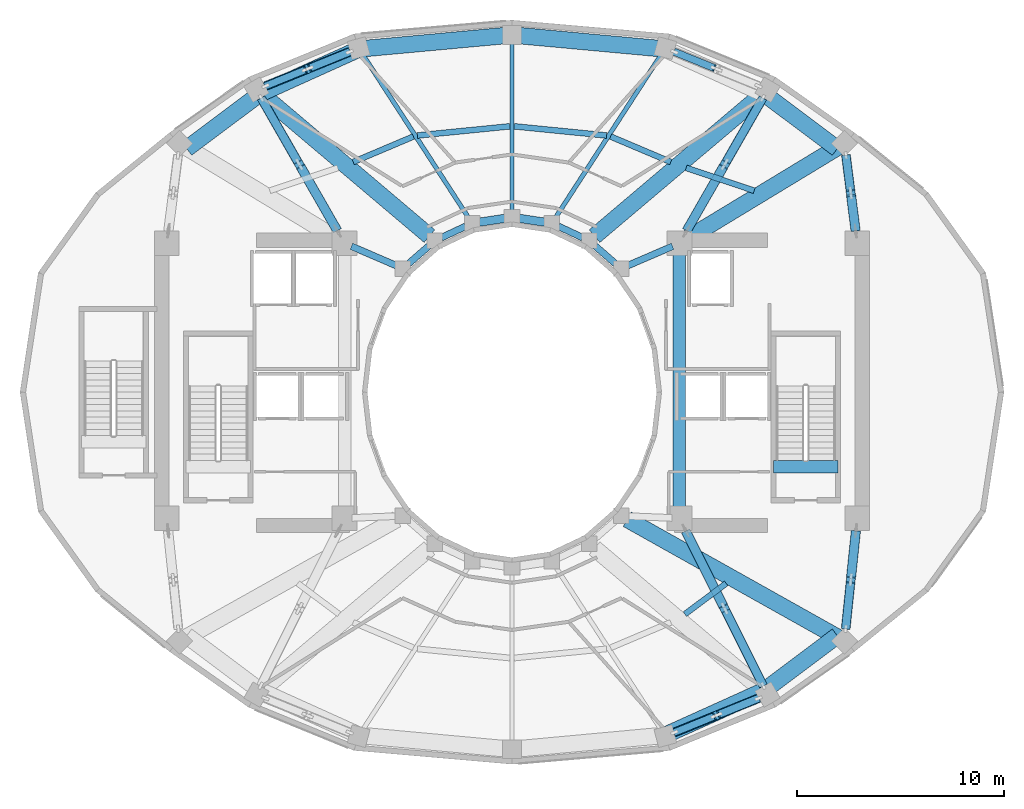
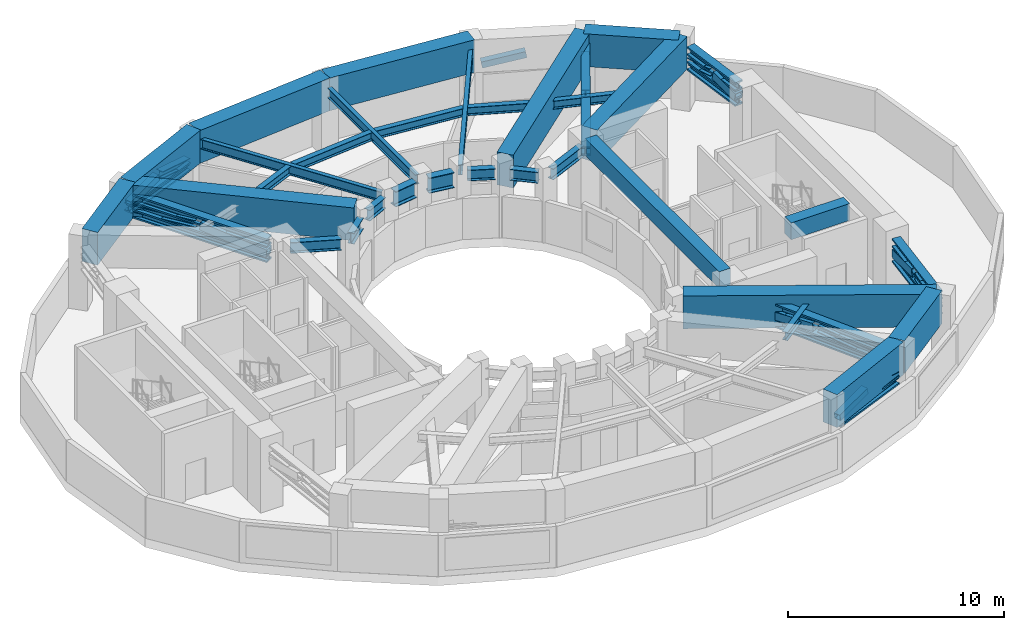
# One storey, part 2 of 10: 42 beams, 15 members.
"""IFC4 building model written with IfcOpenShell, lengths in metres."""

import ifcopenshell
import ifcopenshell.guid

model = None  # the IFC model being written
_history = None  # IfcOwnerHistory: only IFC2X3 demands one
_inside = {}  # id of a spatial element -> (the spatial element, [elements in it])
_under = {}  # id of a project, library or spatial element -> (it, [spatial elements below it])
_declared = {}  # id of a project -> (the project, [libraries it declares])
_typed = {}  # id of a type object -> (the type object, [elements of that type])
_made_of = {}  # id of a material, layer set ... -> (it, [elements and type objects made of it])


def new_model(schema):
    """Start an empty IFC model of exactly this schema.

    Asked for "IFC4X3", IfcOpenShell would pick the latest addendum, in which some entities
    have other attributes; the version numbers below select the first issue.
    IFC2X3 requires an IfcOwnerHistory on every rooted entity: one is made here for all.
    """
    global model, _history
    if schema == "IFC4X3":
        model = ifcopenshell.file(schema_version=(4, 3, 0, 0))
    else:
        model = ifcopenshell.file(schema=schema)
    _inside.clear()
    _under.clear()
    _declared.clear()
    _typed.clear()
    _made_of.clear()
    _history = None
    if model.schema == "IFC2X3":
        org = make("IfcOrganization", Name="unknown")
        user = make(
            "IfcPersonAndOrganization",
            ThePerson=make("IfcPerson", FamilyName="unknown"),
            TheOrganization=org,
        )
        app = make(
            "IfcApplication",
            ApplicationDeveloper=org,
            Version="unknown",
            ApplicationFullName="unknown",
            ApplicationIdentifier="unknown",
        )
        _history = make(
            "IfcOwnerHistory",
            OwningUser=user,
            OwningApplication=app,
            ChangeAction="ADDED",
            CreationDate=0,
        )
    return model


def make(cls, **values):
    """One entity of the class cls with the attributes given. An attribute that is None is left unset."""
    return model.create_entity(
        cls, **{name: value for name, value in values.items() if value is not None}
    )


def rooted(cls, **values):
    """An entity with a GlobalId (a new one), such as an element, a storey or a relation."""
    return make(cls, GlobalId=ifcopenshell.guid.new(), OwnerHistory=_history, **values)


def si_unit(unit_type, name, prefix=None):
    """IfcSIUnit, for example si_unit("LENGTHUNIT", "METRE", prefix="MILLI")."""
    return make("IfcSIUnit", UnitType=unit_type, Prefix=prefix, Name=name)


def assignment(units):
    """IfcUnitAssignment: the units of a project."""
    return None if units is None else make("IfcUnitAssignment", Units=units)


def point(xyz):
    """IfcCartesianPoint."""
    return None if xyz is None else make("IfcCartesianPoint", Coordinates=xyz)


def direction(xyz):
    """IfcDirection."""
    return None if xyz is None else make("IfcDirection", DirectionRatios=xyz)


def frame(location, z_axis=None, x_axis=None):
    """IfcAxis2Placement3D, a coordinate frame: its origin and axes. An axis left out is left unset."""
    return make(
        "IfcAxis2Placement3D",
        Location=point(location),
        Axis=direction(z_axis),
        RefDirection=direction(x_axis),
    )


def frame_2d(location, x_axis=None):
    """IfcAxis2Placement2D, a coordinate frame in the plane: its origin and x axis."""
    return make(
        "IfcAxis2Placement2D", Location=point(location), RefDirection=direction(x_axis)
    )


def origin():
    """The frame at (0, 0, 0) with its axes left unset."""
    return frame((0.0, 0.0, 0.0))


def origin_2d():
    """The frame at (0, 0) in the plane with its x axis left unset."""
    return frame_2d((0.0, 0.0))


def place(relative_to, where):
    """IfcLocalPlacement: puts the frame where relative to a parent placement (None: the world)."""
    return make(
        "IfcLocalPlacement", PlacementRelTo=relative_to, RelativePlacement=where
    )


def context(
    kind, dimensions, precision=None, world=None, true_north=None, identifier=None
):
    """IfcGeometricRepresentationContext, for example the 3D "Model" context."""
    return make(
        "IfcGeometricRepresentationContext",
        ContextIdentifier=identifier,
        ContextType=kind,
        CoordinateSpaceDimension=dimensions,
        Precision=precision,
        WorldCoordinateSystem=world,
        TrueNorth=true_north,
    )


def subcontext(parent, identifier, kind, view, scale=None):
    """IfcGeometricRepresentationSubContext, for example "Body" below "Model"."""
    return make(
        "IfcGeometricRepresentationSubContext",
        ContextIdentifier=identifier,
        ContextType=kind,
        ParentContext=parent,
        TargetScale=scale,
        TargetView=view,
    )


def project(units=None, contexts=None):
    """IfcProject with its units and contexts."""
    return rooted(
        "IfcProject",
        Name="project",
        RepresentationContexts=contexts,
        UnitsInContext=assignment(units),
    )


def spatial(cls, under=None, at=None, **own):
    """A site, building, storey or space (cls), placed at a placement, below another one or the project."""
    s = rooted(cls, ObjectPlacement=at, **own)
    if under is not None:
        _under.setdefault(under.id(), (under, []))[1].append(s)
    return s


def profile(cls, at=None, kind="AREA", **sizes):
    """A parametric profile (cls). Its sizes go by their IFC names, for example OverallWidth=200.0."""
    return make(cls, ProfileType=kind, Position=at, **sizes)


def rectangle(**sizes):
    """IfcRectangleProfileDef."""
    return profile("IfcRectangleProfileDef", **sizes)


def hollow_rectangle(**sizes):
    """IfcRectangleHollowProfileDef."""
    return profile("IfcRectangleHollowProfileDef", **sizes)


def i_section(**sizes):
    """IfcIShapeProfileDef."""
    return profile("IfcIShapeProfileDef", **sizes)


def extrude(swept, where, along, depth):
    """IfcExtrudedAreaSolid: the profile swept, set in the frame where, extruded along a direction by depth."""
    return make(
        "IfcExtrudedAreaSolid",
        SweptArea=swept,
        Position=where,
        ExtrudedDirection=direction(along),
        Depth=depth,
    )


def shape(context_of_items, identifier, shape_type, items):
    """IfcShapeRepresentation: the items that make up one representation, for example the "Body"."""
    return make(
        "IfcShapeRepresentation",
        ContextOfItems=context_of_items,
        RepresentationIdentifier=identifier,
        RepresentationType=shape_type,
        Items=items,
    )


def material(Name=None, Category=None):
    """IfcMaterial."""
    return make("IfcMaterial", Name=Name, Category=Category)


def material_profile(
    of_material, cross_section, Name=None, Category=None, Priority=None
):
    """IfcMaterialProfile: a cross section and its material."""
    return make(
        "IfcMaterialProfile",
        Name=Name,
        Material=of_material,
        Profile=cross_section,
        Priority=Priority,
        Category=Category,
    )


def profile_set(profiles, Name=None, composite=None):
    """IfcMaterialProfileSet."""
    return make(
        "IfcMaterialProfileSet",
        Name=Name,
        MaterialProfiles=profiles,
        CompositeProfile=composite,
    )


def made_of(thing, what):
    """Note that an element or type object is made of a material, layer set ...; save() writes the relation."""
    if what is not None:
        _made_of.setdefault(what.id(), (what, []))[1].append(thing)
    return thing


def type_object(cls, material=None, **own):
    """A type object (cls), such as IfcWallType, which elements share."""
    return made_of(rooted(cls, **own), material)


def element(
    cls,
    number,
    at=None,
    inside=None,
    cuts=None,
    type_object=None,
    material=None,
    context=None,
    identifier="Body",
    shape_type=None,
    held_by="IfcProductDefinitionShape",
    body=None,
    shapes=None,
    **own,
):
    """One element of the class cls, such as IfcWall. Its Tag is "e" and its number.

    at: its placement. inside: the storey or other place that contains it. cuts: it is an
    opening in that element (IfcRelVoidsElement). A single representation is given by context,
    identifier, shape_type and body (its items); several are given by shapes. held_by: the class
    of the entity that holds the representations. save() writes the other relations.
    """
    e = rooted(cls, Tag="e%d" % number, ObjectPlacement=at, **own)
    if body is not None:
        shapes = [shape(context, identifier, shape_type, body)]
    if shapes is not None:
        e.Representation = make(held_by, Representations=shapes)
    if inside is not None:
        _inside.setdefault(inside.id(), (inside, []))[1].append(e)
    if cuts is not None:
        rooted(
            "IfcRelVoidsElement", RelatingBuildingElement=cuts, RelatedOpeningElement=e
        )
    if type_object is not None:
        _typed.setdefault(type_object.id(), (type_object, []))[1].append(e)
    return made_of(e, material)


def aggregate(whole, parts):
    """IfcRelAggregates: a whole, such as a stair, and the parts it consists of."""
    return rooted("IfcRelAggregates", RelatingObject=whole, RelatedObjects=parts)


def save(model, path):
    """Write the relations noted so far, then the file.

    IfcRelAggregates (storeys below a building ...), IfcRelContainedInSpatialStructure (elements
    in a storey), IfcRelDefinesByType, IfcRelAssociatesMaterial and IfcRelDeclares: one each for
    every whole, place, type object, material and project.
    """
    for whole, parts in _under.values():
        aggregate(whole, parts)
    for where, things in _inside.values():
        rooted(
            "IfcRelContainedInSpatialStructure",
            RelatedElements=things,
            RelatingStructure=where,
        )
    for kind, things in _typed.values():
        rooted("IfcRelDefinesByType", RelatedObjects=things, RelatingType=kind)
    for what, things in _made_of.values():
        rooted("IfcRelAssociatesMaterial", RelatedObjects=things, RelatingMaterial=what)
    for by, libraries in _declared.values():
        rooted("IfcRelDeclares", RelatingContext=by, RelatedDefinitions=libraries)
    model.write(path)


model = new_model("IFC4")

# Units and contexts
model_context = context("Model", 3, precision=1e-05, world=origin(), true_north=direction((0.0, 1.0)))
body_context = subcontext(model_context, "Body", "Model", "MODEL_VIEW")
ifc_project = project(units=[si_unit("LENGTHUNIT", "METRE"), si_unit("AREAUNIT", "SQUARE_METRE"), si_unit("VOLUMEUNIT", "CUBIC_METRE"), si_unit("PLANEANGLEUNIT", "RADIAN"), si_unit("MASSUNIT", "GRAM", prefix="KILO")], contexts=[model_context])

# Site, building, storey
site_placement = place(None, origin())
site = spatial("IfcSite", under=ifc_project, at=site_placement, CompositionType="ELEMENT")
building_placement = place(site_placement, origin())
building = spatial("IfcBuilding", under=site, at=building_placement, Name="Solvane Sanctuary Tower", CompositionType="ELEMENT")
storey_placement = place(building_placement, frame((0.0, 0.0, 129.0)))
storey = spatial("IfcBuildingStorey", under=building, at=storey_placement, Name="L39", CompositionType="ELEMENT", Elevation=129.0)

# Beams
ifc_material_1 = material(Name="Steel ASTM A913 Grade 65", Category="steel")
ifc_material_profile_1 = material_profile(ifc_material_1, i_section(OverallWidth=0.403076171875, OverallDepth=0.867919921875, WebThickness=0.02099609375, FlangeThickness=0.03564453125, FilletRadius=0.02197265625, at=origin_2d()), Name="W33X241")
ifc_profile_set_1 = profile_set([ifc_material_profile_1], Name="Steel ASTM A913 Grade 65")
beam_type_1 = type_object("IfcBeamType", Name="Beam B-BELT-CH W33X241", PredefinedType="BEAM", material=ifc_profile_set_1)
for number, where, z_axis, x_axis, name in (
    (1, (30.410400390625, 31.22265625, 3.263916015625), (0.989019905763, 0.147782360259, 0.0), (-0.147782360259, 0.989019905763, 0.0), "L39 Inner Belt Chord IC05-IC04"),
    (2, (32.34130859375, 31.4091796875, 3.263916015625), (0.989019905763, -0.147782360259, 0.0), (0.147782360259, 0.989019905763, 0.0), "L39 Inner Belt Chord IC04-IC03"),
):
    element("IfcBeam", number, at=place(storey_placement, frame(where, z_axis=z_axis, x_axis=x_axis)), inside=storey, type_object=beam_type_1, Name=name, PredefinedType="BEAM", context=body_context, shape_type="SweptSolid", body=[
        extrude(i_section(OverallWidth=0.403076171875, OverallDepth=0.867919921875, WebThickness=0.02099609375, FlangeThickness=0.03564453125, FilletRadius=0.02197265625, at=origin_2d()), origin(), (0.0, 0.0, 1.0), 1.26220703125),
    ])
ifc_material_2 = material(Name="Concrete C70/85", Category="concrete")
ifc_material_profile_2 = material_profile(ifc_material_2, rectangle(XDim=0.60009765625, YDim=0.949951171875, at=origin_2d()), Name="RC600X950")
ifc_profile_set_2 = profile_set([ifc_material_profile_2], Name="Concrete C70/85")
beam_type_2 = type_object("IfcBeamType", Name="Beam B-COUPLE RC600X950", PredefinedType="LINTEL", material=ifc_profile_set_2)
beam_1_placement = place(storey_placement, frame((40.10009765625, 17.35009765625, 3.72509765625), z_axis=(0.0, 1.0, 0.0), x_axis=(-1.0, 0.0, 0.0)))
element("IfcBeam", 3, at=beam_1_placement, inside=storey, type_object=beam_type_2, Name="L39 East Core Coupling Lintel", PredefinedType="LINTEL", context=body_context, shape_type="SweptSolid", body=[
    extrude(rectangle(XDim=0.60009765625, YDim=0.949951171875, at=origin_2d()), origin(), (0.0, 0.0, 1.0), 12.39990234375),
])
beam_2_placement = place(storey_placement, frame((44.64990234375, 19.399169921875, 3.72509765625), z_axis=(1.0, 0.0, 0.0), x_axis=(0.0, 1.0, 0.0)))
element("IfcBeam", 4, at=beam_2_placement, inside=storey, type_object=beam_type_2, Name="L39 ST-2 Stair Floor Landing Trimmer", PredefinedType="LINTEL", context=body_context, shape_type="SweptSolid", body=[
    extrude(rectangle(XDim=0.60009765625, YDim=0.949951171875, at=origin_2d()), origin(), (0.0, 0.0, 1.0), 3.1201171875),
])
ifc_material_profile_3 = material_profile(ifc_material_1, i_section(OverallWidth=0.431884765625, OverallDepth=0.498046875, WebThickness=0.0556640625, FlangeThickness=0.0888671875, FilletRadius=0.02490234375, at=origin_2d()), Name="W14X500")
ifc_profile_set_3 = profile_set([ifc_material_profile_3], Name="Steel ASTM A913 Grade 65")
beam_type_3 = type_object("IfcBeamType", Name="Beam B-OUTR-CH W14X500", PredefinedType="BEAM", material=ifc_profile_set_3)
for number, where, z_axis, x_axis, name in (
    (5, (23.55078125, 30.80859375, 3.448974609375), (-0.497707267468, 0.867345073145, 0.0), (-0.867345073145, -0.497707267468, 0.0), "L39 Outrigger Top Chord OW2"),
    (6, (23.55078125, 30.80859375, 2.610107421875), (-0.497707267468, 0.867345073145, 0.0), (-0.867345073145, -0.497707267468, 0.0), "L39 Outrigger Bottom Chord OW2"),
):
    element("IfcBeam", number, at=place(storey_placement, frame(where, z_axis=z_axis, x_axis=x_axis)), inside=storey, type_object=beam_type_3, Name=name, PredefinedType="BEAM", context=body_context, shape_type="SweptSolid", body=[
        extrude(i_section(OverallWidth=0.431884765625, OverallDepth=0.498046875, WebThickness=0.0556640625, FlangeThickness=0.0888671875, FilletRadius=0.02490234375, at=origin_2d()), origin(), (0.0, 0.0, 1.0), 7.406005859375),
    ])
for number, where, z_axis, x_axis, name in (
    (7, (48.621826171875, 30.809814453125, 3.448974609375), (-0.127067383061, 0.99189408717, 0.0), (-0.99189408717, -0.127067383061, 0.0), "L39 Outrigger Top Chord OE1"),
    (8, (48.621826171875, 30.809814453125, 2.610107421875), (-0.127067383061, 0.99189408717, 0.0), (-0.99189408717, -0.127067383061, 0.0), "L39 Outrigger Bottom Chord OE1"),
):
    element("IfcBeam", number, at=place(storey_placement, frame(where, z_axis=z_axis, x_axis=x_axis)), inside=storey, type_object=beam_type_3, Name=name, PredefinedType="BEAM", context=body_context, shape_type="SweptSolid", body=[
        extrude(i_section(OverallWidth=0.431884765625, OverallDepth=0.498046875, WebThickness=0.0556640625, FlangeThickness=0.0888671875, FilletRadius=0.02490234375, at=origin_2d()), origin(), (0.0, 0.0, 1.0), 3.68505859375),
    ])
for number, where, z_axis, x_axis, name in (
    (9, (40.44921875, 30.80859375, 3.448974609375), (0.497707267468, 0.867345073145, 0.0), (-0.867345073145, 0.497707267468, 0.0), "L39 Outrigger Top Chord OE2"),
    (10, (40.44921875, 30.80859375, 2.610107421875), (0.497707267468, 0.867345073145, 0.0), (-0.867345073145, 0.497707267468, 0.0), "L39 Outrigger Bottom Chord OE2"),
):
    element("IfcBeam", number, at=place(storey_placement, frame(where, z_axis=z_axis, x_axis=x_axis)), inside=storey, type_object=beam_type_3, Name=name, PredefinedType="BEAM", context=body_context, shape_type="SweptSolid", body=[
        extrude(i_section(OverallWidth=0.431884765625, OverallDepth=0.498046875, WebThickness=0.0556640625, FlangeThickness=0.0888671875, FilletRadius=0.02490234375, at=origin_2d()), origin(), (0.0, 0.0, 1.0), 7.406005859375),
    ])
for number, where, z_axis, x_axis, name in (
    (11, (48.63623046875, 16.2900390625, 3.448974609375), (-0.103775962119, -0.994600698615, 0.0), (0.994600698615, -0.103775962119, 0.0), "L39 Outrigger Top Chord OE3"),
    (12, (48.63623046875, 16.2900390625, 2.610107421875), (-0.103775962119, -0.994600698615, 0.0), (0.994600698615, -0.103775962119, 0.0), "L39 Outrigger Bottom Chord OE3"),
):
    element("IfcBeam", number, at=place(storey_placement, frame(where, z_axis=z_axis, x_axis=x_axis)), inside=storey, type_object=beam_type_3, Name=name, PredefinedType="BEAM", context=body_context, shape_type="SweptSolid", body=[
        extrude(i_section(OverallWidth=0.431884765625, OverallDepth=0.498046875, WebThickness=0.0556640625, FlangeThickness=0.0888671875, FilletRadius=0.02490234375, at=origin_2d()), origin(), (0.0, 0.0, 1.0), 4.7685546875),
    ])
for number, where, z_axis, x_axis, name in (
    (13, (40.404296875, 16.291015625, 3.448974609375), (0.44710891033, -0.894479525928, 0.0), (0.894479525928, 0.44710891033, 0.0), "L39 Outrigger Top Chord OE4"),
    (14, (40.404296875, 16.291015625, 2.610107421875), (0.44710891033, -0.894479525928, 0.0), (0.894479525928, 0.44710891033, 0.0), "L39 Outrigger Bottom Chord OE4"),
):
    element("IfcBeam", number, at=place(storey_placement, frame(where, z_axis=z_axis, x_axis=x_axis)), inside=storey, type_object=beam_type_3, Name=name, PredefinedType="BEAM", context=body_context, shape_type="SweptSolid", body=[
        extrude(i_section(OverallWidth=0.431884765625, OverallDepth=0.498046875, WebThickness=0.0556640625, FlangeThickness=0.0888671875, FilletRadius=0.02490234375, at=origin_2d()), origin(), (0.0, 0.0, 1.0), 8.39599609375),
    ])
for number, where, z_axis, x_axis, name in (
    (15, (20.06591796875, 37.805908203125, 2.300048828125), (0.926455722664, 0.376403764518, 0.0), (-0.376403764518, 0.926455722664, 0.0), "L39 Belt Truss Bottom Chord 06-05"),
    (16, (39.8466796875, 6.533447265625, 2.300048828125), (0.926455722664, 0.376403764518, 0.0), (-0.376403764518, 0.926455722664, 0.0), "L39 Belt Truss Bottom Chord 12-13"),
):
    element("IfcBeam", number, at=place(storey_placement, frame(where, z_axis=z_axis, x_axis=x_axis)), inside=storey, type_object=beam_type_3, Name=name, PredefinedType="BEAM", context=body_context, shape_type="SweptSolid", body=[
        extrude(i_section(OverallWidth=0.431884765625, OverallDepth=0.498046875, WebThickness=0.0556640625, FlangeThickness=0.0888671875, FilletRadius=0.02490234375, at=origin_2d()), origin(), (0.0, 0.0, 1.0), 4.411865234375),
    ])
ifc_material_3 = material(Name="Steel ASTM A992 Grade 50", Category="steel")
ifc_material_profile_4 = material_profile(ifc_material_3, i_section(OverallWidth=0.214111328125, OverallDepth=0.549072265625, WebThickness=0.0146484375, FlangeThickness=0.023681640625, FilletRadius=0.014892578125, at=origin_2d()), Name="W21X93")
ifc_profile_set_4 = profile_set([ifc_material_profile_4], Name="Steel ASTM A992 Grade 50")
beam_type_4 = type_object("IfcBeamType", Name="Beam B-RAD-Z3 W21X93", PredefinedType="JOIST", material=ifc_profile_set_4)
beam_3_placement = place(storey_placement, frame((34.0830078125, 31.40673828125, 3.423583984375), z_axis=(0.543704709953, 0.839276586338, 0.0), x_axis=(-0.839276586338, 0.543704709953, 0.0)))
element("IfcBeam", 17, at=beam_3_placement, inside=storey, type_object=beam_type_4, Name="L39 Radial Composite Floor Beam 03", PredefinedType="JOIST", context=body_context, shape_type="SweptSolid", body=[
    extrude(i_section(OverallWidth=0.214111328125, OverallDepth=0.549072265625, WebThickness=0.0146484375, FlangeThickness=0.023681640625, FilletRadius=0.014892578125, at=origin_2d()), origin(), (0.0, 0.0, 1.0), 9.53125),
])
beam_4_placement = place(storey_placement, frame((32.0, 31.739990234375, 3.423583984375), z_axis=(0.0, 1.0, 0.0), x_axis=(-1.0, 0.0, 0.0)))
element("IfcBeam", 18, at=beam_4_placement, inside=storey, type_object=beam_type_4, Name="L39 Radial Composite Floor Beam 04", PredefinedType="JOIST", context=body_context, shape_type="SweptSolid", body=[
    extrude(i_section(OverallWidth=0.214111328125, OverallDepth=0.549072265625, WebThickness=0.0146484375, FlangeThickness=0.023681640625, FilletRadius=0.014892578125, at=origin_2d()), origin(), (0.0, 0.0, 1.0), 8.260009765625),
])
beam_5_placement = place(storey_placement, frame((29.9169921875, 31.40673828125, 3.423583984375), z_axis=(-0.543704709953, 0.839276586338, 0.0), x_axis=(-0.839276586338, -0.543704709953, 0.0)))
element("IfcBeam", 19, at=beam_5_placement, inside=storey, type_object=beam_type_4, Name="L39 Radial Composite Floor Beam 05", PredefinedType="JOIST", context=body_context, shape_type="SweptSolid", body=[
    extrude(i_section(OverallWidth=0.214111328125, OverallDepth=0.549072265625, WebThickness=0.0146484375, FlangeThickness=0.023681640625, FilletRadius=0.014892578125, at=origin_2d()), origin(), (0.0, 0.0, 1.0), 9.53125),
])
ifc_material_profile_5 = material_profile(ifc_material_3, i_section(OverallWidth=0.324951171875, OverallDepth=0.615966796875, WebThickness=0.013916015625, FlangeThickness=0.021484375, FilletRadius=0.01611328125, at=origin_2d()), Name="W24X117")
ifc_profile_set_5 = profile_set([ifc_material_profile_5], Name="Steel ASTM A992 Grade 50")
beam_type_5 = type_object("IfcBeamType", Name="Beam B-RING-IN2 W24X117", PredefinedType="BEAM", material=ifc_profile_set_5)
beam_6_placement = place(storey_placement, frame((24.230712890625, 30.0576171875, 3.389892578125), z_axis=(0.918264067649, -0.395968561966, 0.0), x_axis=(0.395968561966, 0.918264067649, 0.0)))
element("IfcBeam", 20, at=beam_6_placement, inside=storey, type_object=beam_type_5, Name="L39 Inner Light-Well Ring Beam CW3-IC07", PredefinedType="BEAM", context=body_context, shape_type="SweptSolid", body=[
    extrude(i_section(OverallWidth=0.324951171875, OverallDepth=0.615966796875, WebThickness=0.013916015625, FlangeThickness=0.021484375, FilletRadius=0.01611328125, at=origin_2d()), origin(), (0.0, 0.0, 1.0), 2.371337890625),
])
beam_7_placement = place(storey_placement, frame((26.9853515625, 29.20849609375, 3.389892578125), z_axis=(0.754311313851, 0.656516901379, 0.0), x_axis=(-0.656516901379, 0.754311313851, 0.0)))
element("IfcBeam", 21, at=beam_7_placement, inside=storey, type_object=beam_type_5, Name="L39 Inner Light-Well Ring Beam IC07-IC06", PredefinedType="BEAM", context=body_context, shape_type="SweptSolid", body=[
    extrude(i_section(OverallWidth=0.324951171875, OverallDepth=0.615966796875, WebThickness=0.013916015625, FlangeThickness=0.021484375, FilletRadius=0.01611328125, at=origin_2d()), origin(), (0.0, 0.0, 1.0), 1.358154296875),
])
for number, where, z_axis, x_axis, name in (
    (22, (28.582275390625, 30.473388671875, 3.389892578125), (0.9051808128, 0.425026700502, 0.0), (-0.425026700502, 0.9051808128, 0.0), "L39 Inner Light-Well Ring Beam IC06-IC05"),
    (23, (34.2431640625, 31.02490234375, 3.389892578125), (0.9051808128, -0.425026700502, 0.0), (0.425026700502, 0.9051808128, 0.0), "L39 Inner Light-Well Ring Beam IC03-IC02"),
):
    element("IfcBeam", number, at=place(storey_placement, frame(where, z_axis=z_axis, x_axis=x_axis)), inside=storey, type_object=beam_type_5, Name=name, PredefinedType="BEAM", context=body_context, shape_type="SweptSolid", body=[
        extrude(i_section(OverallWidth=0.324951171875, OverallDepth=0.615966796875, WebThickness=0.013916015625, FlangeThickness=0.021484375, FilletRadius=0.01611328125, at=origin_2d()), origin(), (0.0, 0.0, 1.0), 1.297607421875),
    ])
beam_8_placement = place(storey_placement, frame((35.990234375, 30.10009765625, 3.389892578125), z_axis=(0.754311313851, -0.656516901379, 0.0), x_axis=(0.656516901379, 0.754311313851, 0.0)))
element("IfcBeam", 24, at=beam_8_placement, inside=storey, type_object=beam_type_5, Name="L39 Inner Light-Well Ring Beam IC02-IC01", PredefinedType="BEAM", context=body_context, shape_type="SweptSolid", body=[
    extrude(i_section(OverallWidth=0.324951171875, OverallDepth=0.615966796875, WebThickness=0.013916015625, FlangeThickness=0.021484375, FilletRadius=0.01611328125, at=origin_2d()), origin(), (0.0, 0.0, 1.0), 1.358154296875),
])
beam_9_placement = place(storey_placement, frame((37.591796875, 29.11865234375, 3.389892578125), z_axis=(0.918264067649, 0.395968561966, 0.0), x_axis=(-0.395968561966, 0.918264067649, 0.0)))
element("IfcBeam", 25, at=beam_9_placement, inside=storey, type_object=beam_type_5, Name="L39 Inner Light-Well Ring Beam IC01-CE4", PredefinedType="BEAM", context=body_context, shape_type="SweptSolid", body=[
    extrude(i_section(OverallWidth=0.324951171875, OverallDepth=0.615966796875, WebThickness=0.013916015625, FlangeThickness=0.021484375, FilletRadius=0.01611328125, at=origin_2d()), origin(), (0.0, 0.0, 1.0), 2.371337890625),
])
ifc_material_profile_6 = material_profile(ifc_material_3, i_section(OverallWidth=0.280029296875, OverallDepth=0.462890625, WebThickness=0.0107421875, FlangeThickness=0.017333984375, FilletRadius=0.013916015625, at=origin_2d()), Name="W18X76")
ifc_profile_set_6 = profile_set([ifc_material_profile_6], Name="Steel ASTM A992 Grade 50")
beam_type_6 = type_object("IfcBeamType", Name="Beam B-SEC-JOIST W18X76", PredefinedType="JOIST", material=ifc_profile_set_6)
beam_10_placement = place(storey_placement, frame((24.316650390625, 34.1328125, 3.466552734375), z_axis=(0.920910827387, 0.389773329002, 0.0), x_axis=(-0.389773329002, 0.920910827387, 0.0)))
element("IfcBeam", 26, at=beam_10_placement, inside=storey, type_object=beam_type_6, Name="L39 Secondary Circumferential Joist 06-05", PredefinedType="JOIST", context=body_context, shape_type="SweptSolid", body=[
    extrude(i_section(OverallWidth=0.280029296875, OverallDepth=0.462890625, WebThickness=0.0107421875, FlangeThickness=0.017333984375, FilletRadius=0.013916015625, at=origin_2d()), origin(), (0.0, 0.0, 1.0), 3.165771484375),
])
for number, where, z_axis, x_axis, name in (
    (27, (27.427490234375, 35.41650390625, 3.466552734375), (0.995119165986, 0.09868052233, 0.0), (-0.09868052233, 0.995119165986, 0.0), "L39 Secondary Circumferential Joist 05-04"),
    (28, (32.1015625, 35.85986328125, 3.466552734375), (0.995119165986, -0.09868052233, 0.0), (0.09868052233, 0.995119165986, 0.0), "L39 Secondary Circumferential Joist 04-03"),
):
    element("IfcBeam", number, at=place(storey_placement, frame(where, z_axis=z_axis, x_axis=x_axis)), inside=storey, type_object=beam_type_6, Name=name, PredefinedType="JOIST", context=body_context, shape_type="SweptSolid", body=[
        extrude(i_section(OverallWidth=0.280029296875, OverallDepth=0.462890625, WebThickness=0.0107421875, FlangeThickness=0.017333984375, FilletRadius=0.013916015625, at=origin_2d()), origin(), (0.0, 0.0, 1.0), 4.492919921875),
    ])
beam_11_placement = place(storey_placement, frame((36.76806640625, 35.36669921875, 3.466552734375), z_axis=(0.920910827387, -0.389773329002, 0.0), x_axis=(0.389773329002, 0.920910827387, 0.0)))
element("IfcBeam", 29, at=beam_11_placement, inside=storey, type_object=beam_type_6, Name="L39 Secondary Circumferential Joist 03-02", PredefinedType="JOIST", context=body_context, shape_type="SweptSolid", body=[
    extrude(i_section(OverallWidth=0.280029296875, OverallDepth=0.462890625, WebThickness=0.0107421875, FlangeThickness=0.017333984375, FilletRadius=0.013916015625, at=origin_2d()), origin(), (0.0, 0.0, 1.0), 3.165771484375),
])
beam_12_placement = place(storey_placement, frame((40.421630859375, 33.85302734375, 3.466552734375), z_axis=(0.94787233657, -0.318650331185, 0.0), x_axis=(0.318650331185, 0.94787233657, 0.0)))
element("IfcBeam", 30, at=beam_12_placement, inside=storey, type_object=beam_type_6, Name="L39 Secondary Circumferential Joist 02-01", PredefinedType="JOIST", context=body_context, shape_type="SweptSolid", body=[
    extrude(i_section(OverallWidth=0.280029296875, OverallDepth=0.462890625, WebThickness=0.0107421875, FlangeThickness=0.017333984375, FilletRadius=0.013916015625, at=origin_2d()), origin(), (0.0, 0.0, 1.0), 3.475341796875),
])
beam_13_placement = place(storey_placement, frame((40.363525390625, 12.2578125, 3.466552734375), z_axis=(0.800633641011, 0.599154214607, 0.0), x_axis=(-0.599154214607, 0.800633641011, 0.0)))
element("IfcBeam", 31, at=beam_13_placement, inside=storey, type_object=beam_type_6, Name="L39 Secondary Circumferential Joist 13-14", PredefinedType="JOIST", context=body_context, shape_type="SweptSolid", body=[
    extrude(i_section(OverallWidth=0.280029296875, OverallDepth=0.462890625, WebThickness=0.0107421875, FlangeThickness=0.017333984375, FilletRadius=0.013916015625, at=origin_2d()), origin(), (0.0, 0.0, 1.0), 2.494873046875),
])
ifc_material_profile_7 = material_profile(ifc_material_2, rectangle(XDim=0.800048828125, YDim=1.85009765625, at=origin_2d()), Name="RC800X1850")
ifc_profile_set_7 = profile_set([ifc_material_profile_7], Name="Concrete C70/85")
beam_type_7 = type_object("IfcBeamType", Name="Beam B-XFER-BLK RC800X1850", PredefinedType="BEAM", material=ifc_profile_set_7)
beam_14_placement = place(storey_placement, frame((40.40771484375, 30.38671875, 3.27490234375), z_axis=(0.855065764982, 0.51851956333, 0.0), x_axis=(-0.51851956333, 0.855065764982, 0.0)))
element("IfcBeam", 32, at=beam_14_placement, inside=storey, type_object=beam_type_7, Name="L39 Block-Shift Radial Transfer Girder 01A", PredefinedType="BEAM", context=body_context, shape_type="SweptSolid", body=[
    extrude(rectangle(XDim=0.800048828125, YDim=1.85009765625, at=origin_2d()), origin(), (0.0, 0.0, 1.0), 8.642822265625),
])
for number, where, z_axis, x_axis, name in (
    (33, (35.993408203125, 30.54931640625, 3.27490234375), (0.763441142369, 0.645877404883, 0.0), (-0.645877404883, 0.763441142369, 0.0), "L39 Block-Shift Radial Transfer Girder 02A"),
    (34, (28.006591796875, 30.54931640625, 3.27490234375), (-0.763441142369, 0.645877404883, 0.0), (-0.645877404883, -0.763441142369, 0.0), "L39 Block-Shift Radial Transfer Girder 06A"),
):
    element("IfcBeam", number, at=place(storey_placement, frame(where, z_axis=z_axis, x_axis=x_axis)), inside=storey, type_object=beam_type_7, Name=name, PredefinedType="BEAM", context=body_context, shape_type="SweptSolid", body=[
        extrude(rectangle(XDim=0.800048828125, YDim=1.85009765625, at=origin_2d()), origin(), (0.0, 0.0, 1.0), 10.634521484375),
    ])
beam_15_placement = place(storey_placement, frame((37.575927734375, 16.84912109375, 3.27490234375), z_axis=(0.872299413003, -0.488972119935, 0.0), x_axis=(0.488972119935, 0.872299413003, 0.0)))
element("IfcBeam", 35, at=beam_15_placement, inside=storey, type_object=beam_type_7, Name="L39 Block-Shift Radial Transfer Girder 14A", PredefinedType="BEAM", context=body_context, shape_type="SweptSolid", body=[
    extrude(rectangle(XDim=0.800048828125, YDim=1.85009765625, at=origin_2d()), origin(), (0.0, 0.0, 1.0), 11.7119140625),
])
beam_16_placement = place(storey_placement, frame((16.265625, 34.7802734375, 3.27490234375), z_axis=(0.800231843491, 0.599690750856, 0.0), x_axis=(-0.599690750856, 0.800231843491, 0.0)))
element("IfcBeam", 36, at=beam_16_placement, inside=storey, type_object=beam_type_7, Name="L39 Perimeter Step Transfer Ring NTC07-NTC06", PredefinedType="BEAM", context=body_context, shape_type="SweptSolid", body=[
    extrude(rectangle(XDim=0.800048828125, YDim=1.85009765625, at=origin_2d()), origin(), (0.0, 0.0, 1.0), 4.421630859375),
])
beam_17_placement = place(storey_placement, frame((19.803955078125, 37.431884765625, 3.27490234375), z_axis=(0.911321770398, 0.411694827268, 0.0), x_axis=(-0.411694827268, 0.911321770398, 0.0)))
element("IfcBeam", 37, at=beam_17_placement, inside=storey, type_object=beam_type_7, Name="L39 Perimeter Step Transfer Ring NTC06-NTC05", PredefinedType="BEAM", context=body_context, shape_type="SweptSolid", body=[
    extrude(rectangle(XDim=0.800048828125, YDim=1.85009765625, at=origin_2d()), origin(), (0.0, 0.0, 1.0), 5.26416015625),
])
for number, where, z_axis, x_axis, name in (
    (38, (24.601318359375, 39.59912109375, 3.27490234375), (0.995791858376, 0.091643738426, 0.0), (-0.091643738426, 0.995791858376, 0.0), "L39 Perimeter Step Transfer Ring NTC05-NTC04"),
    (39, (32.0, 40.280029296875, 3.27490234375), (0.995791858376, -0.091643738426, 0.0), (0.091643738426, 0.995791858376, 0.0), "L39 Perimeter Step Transfer Ring NTC04-NTC03"),
):
    element("IfcBeam", number, at=place(storey_placement, frame(where, z_axis=z_axis, x_axis=x_axis)), inside=storey, type_object=beam_type_7, Name=name, PredefinedType="BEAM", context=body_context, shape_type="SweptSolid", body=[
        extrude(rectangle(XDim=0.800048828125, YDim=1.85009765625, at=origin_2d()), origin(), (0.0, 0.0, 1.0), 7.429931640625),
    ])
beam_18_placement = place(storey_placement, frame((44.196044921875, 37.431884765625, 3.27490234375), z_axis=(0.800231843491, -0.599690750856, 0.0), x_axis=(0.599690750856, 0.800231843491, 0.0)))
element("IfcBeam", 40, at=beam_18_placement, inside=storey, type_object=beam_type_7, Name="L39 Perimeter Step Transfer Ring NTC02-NTC01", PredefinedType="BEAM", context=body_context, shape_type="SweptSolid", body=[
    extrude(rectangle(XDim=0.800048828125, YDim=1.85009765625, at=origin_2d()), origin(), (0.0, 0.0, 1.0), 4.421630859375),
])
beam_19_placement = place(storey_placement, frame((39.398681640625, 6.40087890625, 3.27490234375), z_axis=(0.911321770398, 0.411694827268, 0.0), x_axis=(-0.411694827268, 0.911321770398, 0.0)))
element("IfcBeam", 41, at=beam_19_placement, inside=storey, type_object=beam_type_7, Name="L39 Perimeter Step Transfer Ring NTC12-NTC13", PredefinedType="BEAM", context=body_context, shape_type="SweptSolid", body=[
    extrude(rectangle(XDim=0.800048828125, YDim=1.85009765625, at=origin_2d()), origin(), (0.0, 0.0, 1.0), 5.26416015625),
])
beam_20_placement = place(storey_placement, frame((44.196044921875, 8.568115234375, 3.27490234375), z_axis=(0.800231843491, 0.599690750856, 0.0), x_axis=(-0.599690750856, 0.800231843491, 0.0)))
element("IfcBeam", 42, at=beam_20_placement, inside=storey, type_object=beam_type_7, Name="L39 Perimeter Step Transfer Ring NTC13-NTC14", PredefinedType="BEAM", context=body_context, shape_type="SweptSolid", body=[
    extrude(rectangle(XDim=0.800048828125, YDim=1.85009765625, at=origin_2d()), origin(), (0.0, 0.0, 1.0), 4.421630859375),
])

# Members
ifc_material_profile_8 = material_profile(ifc_material_1, hollow_rectangle(XDim=0.35009765625, YDim=0.35009765625, WallThickness=0.01611328125, at=origin_2d()), Name="HSS350X350X16")
ifc_profile_set_8 = profile_set([ifc_material_profile_8], Name="Steel ASTM A913 Grade 65")
member_type_1 = type_object("IfcMemberType", Name="Member M-BELT-DIAG HSS350X350X16", PredefinedType="BRACE", material=ifc_profile_set_8)
member_1_placement = place(storey_placement, frame((20.07958984375, 37.811279296875, 2.5517578125), z_axis=(0.910085206629, 0.36979047232, 0.187082664234), x_axis=(-0.376436774403, 0.926442310604, 0.0)))
element("IfcMember", 43, at=member_1_placement, inside=storey, type_object=member_type_1, Name="L39 Belt Truss Diagonal 06-05", PredefinedType="BRACE", context=body_context, shape_type="SweptSolid", body=[
    extrude(hollow_rectangle(XDim=0.35009765625, YDim=0.35009765625, WallThickness=0.01611328125, at=origin_2d()), origin(), (0.0, 0.0, 1.0), 2.12060546875),
])
for number, where, z_axis, x_axis, name in (
    (44, (39.860595703125, 39.4609375, 2.5517578125), (0.910104179832, -0.369729823057, 0.18711023434), (0.376377046956, 0.926466577122, 0.0), "L39 Belt Truss Diagonal 03-02"),
    (45, (39.860595703125, 6.5390625, 2.5517578125), (0.910104179832, 0.369729823057, 0.18711023434), (-0.376377046956, 0.926466577122, 0.0), "L39 Belt Truss Diagonal 12-13"),
):
    element("IfcMember", number, at=place(storey_placement, frame(where, z_axis=z_axis, x_axis=x_axis)), inside=storey, type_object=member_type_1, Name=name, PredefinedType="BRACE", context=body_context, shape_type="SweptSolid", body=[
        extrude(hollow_rectangle(XDim=0.35009765625, YDim=0.35009765625, WallThickness=0.01611328125, at=origin_2d()), origin(), (0.0, 0.0, 1.0), 2.120361328125),
    ])
ifc_material_profile_9 = material_profile(ifc_material_3, i_section(OverallWidth=0.3740234375, OverallDepth=0.3720703125, WebThickness=0.016357421875, FlangeThickness=0.026123046875, FilletRadius=0.02490234375, at=origin_2d()), Name="W14X132")
ifc_profile_set_9 = profile_set([ifc_material_profile_9], Name="Steel ASTM A992 Grade 50")
member_type_2 = type_object("IfcMemberType", Name="Member M-BELT-POST W14X132", PredefinedType="POST", material=ifc_profile_set_9)
member_2_placement = place(storey_placement, frame((22.209716796875, 38.677001953125, 2.948486328125), z_axis=(0.910104179832, 0.369729823057, -0.18711023434), x_axis=(-0.376377046956, 0.926466577122, 0.0)))
element("IfcMember", 46, at=member_2_placement, inside=storey, type_object=member_type_2, Name="L39 Belt Truss Web Strut 06-05", PredefinedType="POST", context=body_context, shape_type="SweptSolid", body=[
    extrude(i_section(OverallWidth=0.3740234375, OverallDepth=0.3720703125, WebThickness=0.016357421875, FlangeThickness=0.026123046875, FilletRadius=0.02490234375, at=origin_2d()), origin(), (0.0, 0.0, 1.0), 2.120361328125),
])
member_3_placement = place(storey_placement, frame((41.990478515625, 7.404541015625, 2.948486328125), z_axis=(0.910085206629, 0.36979047232, -0.187082664234), x_axis=(-0.376436774403, 0.926442310604, 0.0)))
element("IfcMember", 47, at=member_3_placement, inside=storey, type_object=member_type_2, Name="L39 Belt Truss Web Strut 12-13", PredefinedType="POST", context=body_context, shape_type="SweptSolid", body=[
    extrude(i_section(OverallWidth=0.3740234375, OverallDepth=0.3720703125, WebThickness=0.016357421875, FlangeThickness=0.026123046875, FilletRadius=0.02490234375, at=origin_2d()), origin(), (0.0, 0.0, 1.0), 2.12060546875),
])
ifc_material_profile_10 = material_profile(ifc_material_1, hollow_rectangle(XDim=0.449951171875, YDim=0.449951171875, WallThickness=0.02001953125, at=origin_2d()), Name="HSS450X450X20")
ifc_profile_set_10 = profile_set([ifc_material_profile_10], Name="Steel ASTM A913 Grade 65")
member_type_3 = type_object("IfcMemberType", Name="Member M-OUTR-DIAG HSS450X450X20", PredefinedType="BRACE", material=ifc_profile_set_10)
member_4_placement = place(storey_placement, frame((23.540771484375, 30.825927734375, 2.86083984375), z_axis=(-0.495581447548, 0.863710073895, 0.091672990021), x_axis=(-0.867362393046, -0.497677083186, 0.0)))
element("IfcMember", 48, at=member_4_placement, inside=storey, type_object=member_type_3, Name="L39 Outrigger Truss Diagonal OW2", PredefinedType="BRACE", context=body_context, shape_type="SweptSolid", body=[
    extrude(hollow_rectangle(XDim=0.449951171875, YDim=0.449951171875, WallThickness=0.02001953125, at=origin_2d()), origin(), (0.0, 0.0, 1.0), 3.568603515625),
])
member_5_placement = place(storey_placement, frame((48.619384765625, 30.829345703125, 2.862548828125), z_axis=(-0.125048140178, 0.975318846438, 0.181978324041), x_axis=(-0.99188073308, -0.127171582301, 0.0)))
element("IfcMember", 49, at=member_5_placement, inside=storey, type_object=member_type_3, Name="L39 Outrigger Truss Diagonal OE1", PredefinedType="BRACE", context=body_context, shape_type="SweptSolid", body=[
    extrude(hollow_rectangle(XDim=0.449951171875, YDim=0.449951171875, WallThickness=0.02001953125, at=origin_2d()), origin(), (0.0, 0.0, 1.0), 1.723876953125),
])
member_6_placement = place(storey_placement, frame((40.459228515625, 30.825927734375, 2.86083984375), z_axis=(0.495581447548, 0.863710073895, 0.091672990021), x_axis=(-0.867362393046, 0.497677083186, 0.0)))
element("IfcMember", 50, at=member_6_placement, inside=storey, type_object=member_type_3, Name="L39 Outrigger Truss Diagonal OE2", PredefinedType="BRACE", context=body_context, shape_type="SweptSolid", body=[
    extrude(hollow_rectangle(XDim=0.449951171875, YDim=0.449951171875, WallThickness=0.02001953125, at=origin_2d()), origin(), (0.0, 0.0, 1.0), 3.568603515625),
])
member_7_placement = place(storey_placement, frame((48.63427734375, 16.2705078125, 2.86181640625), z_axis=(-0.102780723661, -0.984576648323, 0.141580176652), x_axis=(0.994595414782, -0.1038265905, 0.0)))
element("IfcMember", 51, at=member_7_placement, inside=storey, type_object=member_type_3, Name="L39 Outrigger Truss Diagonal OE3", PredefinedType="BRACE", context=body_context, shape_type="SweptSolid", body=[
    extrude(hollow_rectangle(XDim=0.449951171875, YDim=0.449951171875, WallThickness=0.02001953125, at=origin_2d()), origin(), (0.0, 0.0, 1.0), 2.259033203125),
])
member_8_placement = place(storey_placement, frame((40.413330078125, 16.273193359375, 2.860595703125), z_axis=(0.445649118755, -0.891538674045, 0.080967003367), x_axis=(0.894475431503, 0.447117101481, 0.0)))
element("IfcMember", 52, at=member_8_placement, inside=storey, type_object=member_type_3, Name="L39 Outrigger Truss Diagonal OE4", PredefinedType="BRACE", context=body_context, shape_type="SweptSolid", body=[
    extrude(hollow_rectangle(XDim=0.449951171875, YDim=0.449951171875, WallThickness=0.02001953125, at=origin_2d()), origin(), (0.0, 0.0, 1.0), 4.0615234375),
])
ifc_material_profile_11 = material_profile(ifc_material_1, i_section(OverallWidth=0.39892578125, OverallDepth=0.386962890625, WebThickness=0.02099609375, FlangeThickness=0.033203125, FilletRadius=0.02490234375, at=origin_2d()), Name="W14X176")
ifc_profile_set_11 = profile_set([ifc_material_profile_11], Name="Steel ASTM A913 Grade 65")
member_type_4 = type_object("IfcMemberType", Name="Member M-OUTR-POST W14X176", PredefinedType="POST", material=ifc_profile_set_11)
member_9_placement = place(storey_placement, frame((21.643310546875, 34.1328125, 3.18798828125), z_axis=(-0.495662341155, 0.863663408521, -0.091675298433), x_axis=(-0.86731571544, -0.497758425092, 0.0)))
element("IfcMember", 53, at=member_9_placement, inside=storey, type_object=member_type_4, Name="L39 Outrigger Web Strut OW2", PredefinedType="POST", context=body_context, shape_type="SweptSolid", body=[
    extrude(i_section(OverallWidth=0.39892578125, OverallDepth=0.386962890625, WebThickness=0.02099609375, FlangeThickness=0.033203125, FilletRadius=0.02490234375, at=origin_2d()), origin(), (0.0, 0.0, 1.0), 3.568603515625),
])
member_10_placement = place(storey_placement, frame((48.37158203125, 32.764404296875, 3.17626953125), z_axis=(-0.125065414413, 0.975311940715, -0.182003462652), x_axis=(-0.991878403366, -0.127189751695, 0.0)))
element("IfcMember", 54, at=member_10_placement, inside=storey, type_object=member_type_4, Name="L39 Outrigger Web Strut OE1", PredefinedType="POST", context=body_context, shape_type="SweptSolid", body=[
    extrude(i_section(OverallWidth=0.39892578125, OverallDepth=0.386962890625, WebThickness=0.02099609375, FlangeThickness=0.033203125, FilletRadius=0.02490234375, at=origin_2d()), origin(), (0.0, 0.0, 1.0), 1.7236328125),
])
member_11_placement = place(storey_placement, frame((42.356689453125, 34.1328125, 3.18798828125), z_axis=(0.495662341155, 0.863663408521, -0.091675298433), x_axis=(-0.86731571544, 0.497758425092, 0.0)))
element("IfcMember", 55, at=member_11_placement, inside=storey, type_object=member_type_4, Name="L39 Outrigger Web Strut OE2", PredefinedType="POST", context=body_context, shape_type="SweptSolid", body=[
    extrude(i_section(OverallWidth=0.39892578125, OverallDepth=0.386962890625, WebThickness=0.02099609375, FlangeThickness=0.033203125, FilletRadius=0.02490234375, at=origin_2d()), origin(), (0.0, 0.0, 1.0), 3.568603515625),
])
member_12_placement = place(storey_placement, frame((48.37548828125, 13.79052734375, 3.181640625), z_axis=(-0.102791661659, -0.984573339701, -0.141595243716), x_axis=(0.994594237675, -0.10383786585, 0.0)))
element("IfcMember", 56, at=member_12_placement, inside=storey, type_object=member_type_4, Name="L39 Outrigger Web Strut OE3", PredefinedType="POST", context=body_context, shape_type="SweptSolid", body=[
    extrude(i_section(OverallWidth=0.39892578125, OverallDepth=0.386962890625, WebThickness=0.02099609375, FlangeThickness=0.033203125, FilletRadius=0.02490234375, at=origin_2d()), origin(), (0.0, 0.0, 1.0), 2.2587890625),
])
member_13_placement = place(storey_placement, frame((42.33935546875, 12.420166015625, 3.189453125), z_axis=(0.445625237704, -0.891551004972, -0.080962664579), x_axis=(0.894487486751, 0.447092983669, 0.0)))
element("IfcMember", 57, at=member_13_placement, inside=storey, type_object=member_type_4, Name="L39 Outrigger Web Strut OE4", PredefinedType="POST", context=body_context, shape_type="SweptSolid", body=[
    extrude(i_section(OverallWidth=0.39892578125, OverallDepth=0.386962890625, WebThickness=0.02099609375, FlangeThickness=0.033203125, FilletRadius=0.02490234375, at=origin_2d()), origin(), (0.0, 0.0, 1.0), 4.061767578125),
])

save(model, "model.ifc")
